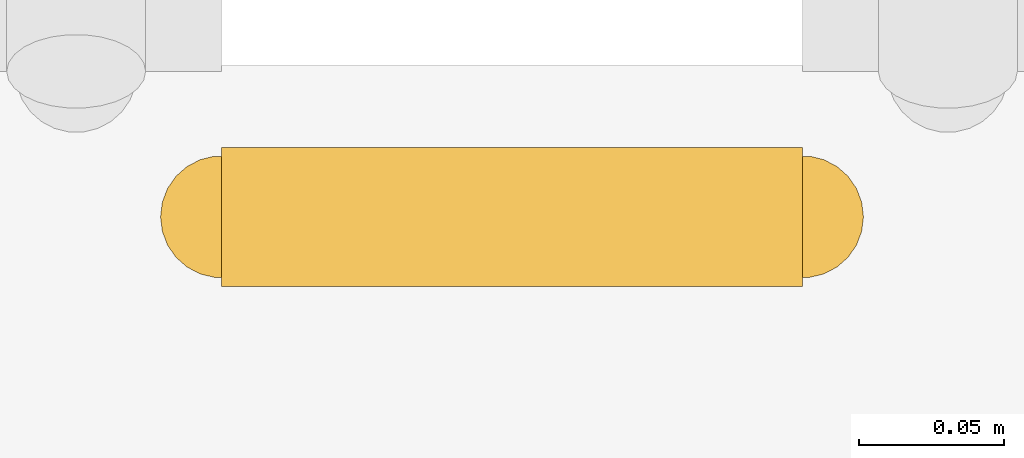
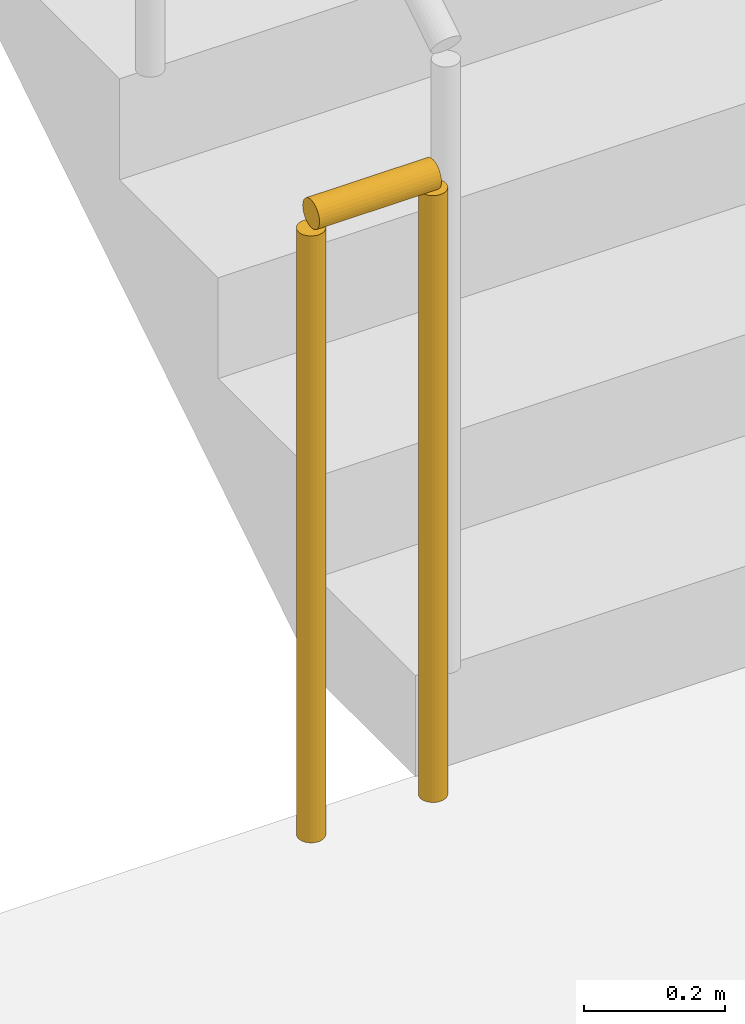
# One storey, part 10 of 21: 1 railing.
"""IFC4 building model written with IfcOpenShell, lengths in metres."""

from ifc_helpers import new_model, si_unit, direction, frame, origin, origin_2d, place, context, subcontext, project, spatial, circle, extrude, material, type_object, element, save


model = new_model("IFC4")

# Units and contexts
model_context = context("Model", 3, precision=1e-05, world=origin(), true_north=direction((0.0, 1.0)))
body_context = subcontext(model_context, "Body", "Model", "MODEL_VIEW")
ifc_project = project(units=[si_unit("LENGTHUNIT", "METRE"), si_unit("AREAUNIT", "SQUARE_METRE"), si_unit("VOLUMEUNIT", "CUBIC_METRE"), si_unit("PLANEANGLEUNIT", "RADIAN"), si_unit("MASSUNIT", "GRAM", prefix="KILO")], contexts=[model_context])

# Site, building, storey
site_placement = place(None, origin())
site = spatial("IfcSite", under=ifc_project, at=site_placement, CompositionType="ELEMENT")
building_placement = place(site_placement, origin())
building = spatial("IfcBuilding", under=site, at=building_placement, Name="Kiln Ring Residences", CompositionType="ELEMENT")
storey_placement = place(building_placement, frame((0.0, 0.0, 199.39990234375)))
storey = spatial("IfcBuildingStorey", under=building, at=storey_placement, Name="L51", CompositionType="ELEMENT", Elevation=199.39990234375)

# Railing
ifc_material = material(Name="Stainless steel", Category="steel")
railing_type = type_object("IfcRailingType", Name="CORE-STAIR-GUARD", PredefinedType="GUARDRAIL", material=ifc_material)
railing_placement = place(storey_placement, frame((-22.0, -8.449951171875, 0.0)))
element("IfcRailing", 1, at=railing_placement, inside=storey, type_object=railing_type, Name="L51 W-STS stair guard 4", PredefinedType="GUARDRAIL", context=body_context, shape_type="SweptSolid", body=[
    extrude(circle(Radius=0.02392578125, at=origin_2d()), frame((0.0, 0.0, 1.076171875), z_axis=(-1.0, 0.0, 0.0), x_axis=(0.0, -1.0, 0.0)), (0.0, 0.0, 1.0), 0.199951171875),
    extrude(circle(Radius=0.02099609375, at=origin_2d()), origin(), (0.0, 0.0, 1.0), 1.052001953125),
    extrude(circle(Radius=0.02099609375, at=origin_2d()), frame((-0.199951171875, 0.0, 0.0)), (0.0, 0.0, 1.0), 1.052001953125),
])

save(model, "model.ifc")
